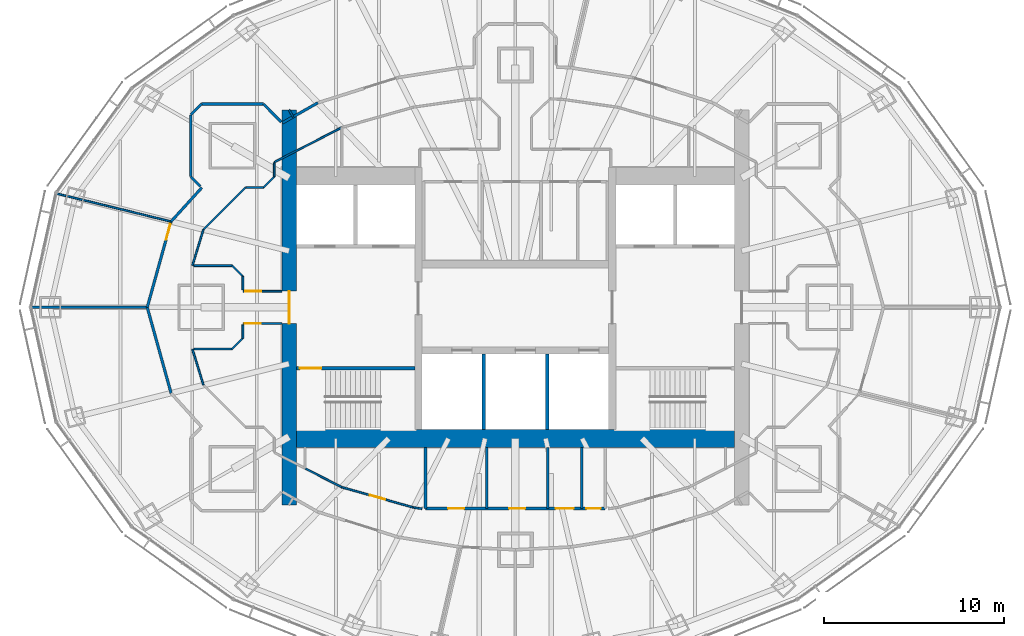
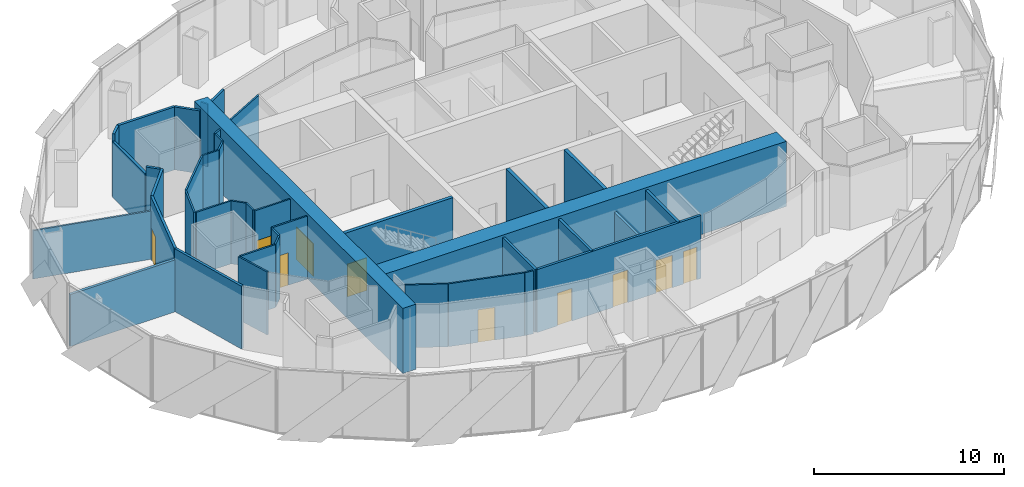
# One storey, part 12 of 18: 40 walls, 10 doors, 10 openings.
"""IFC4 building model written with IfcOpenShell, lengths in metres."""

from ifc_helpers import new_model, si_unit, direction, frame, frame_2d, origin, place, context, subcontext, project, spatial, rectangle, extrude, material, layer, layer_set, type_object, element, fill, save


model = new_model("IFC4")

# Units and contexts
model_context = context("Model", 3, precision=1e-05, world=origin(), true_north=direction((0.0, 1.0)))
body_context = subcontext(model_context, "Body", "Model", "MODEL_VIEW")
ifc_project = project(units=[si_unit("LENGTHUNIT", "METRE"), si_unit("AREAUNIT", "SQUARE_METRE"), si_unit("VOLUMEUNIT", "CUBIC_METRE"), si_unit("PLANEANGLEUNIT", "RADIAN"), si_unit("MASSUNIT", "GRAM", prefix="KILO")], contexts=[model_context])

# Site, building, storey
site_placement = place(None, origin())
site = spatial("IfcSite", under=ifc_project, at=site_placement, CompositionType="ELEMENT")
building_placement = place(site_placement, origin())
building = spatial("IfcBuilding", under=site, at=building_placement, Name="Lantaw Convention Tower", CompositionType="ELEMENT")
storey_placement = place(building_placement, frame((0.0, 0.0, 262.0)))
storey = spatial("IfcBuildingStorey", under=building, at=storey_placement, Name="L61", CompositionType="ELEMENT", Elevation=262.0)

# Wall
ifc_material_1 = material(Name="Concrete C60/75", Category="concrete")
ifc_layer_1 = layer(ifc_material_1, 1.0)
ifc_layer_set_1 = layer_set([ifc_layer_1], Name="Core wall 1000")
wall_type_1 = type_object("IfcWallType", Name="Core wall 1000", PredefinedType="SHEAR", material=ifc_layer_set_1)
wall_1_placement = place(storey_placement, frame((-12.199951171875, -7.300048828125, 0.0), z_axis=(0.0, 0.0, 1.0), x_axis=(1.0, 0.0, 0.0)))
element("IfcWall", 1, at=wall_1_placement, inside=storey, type_object=wall_type_1, Name="Core wall S", PredefinedType="SHEAR", context=body_context, shape_type="SweptSolid", body=[
    extrude(rectangle(XDim=24.39990234375, YDim=1.0, at=frame_2d((12.199951171875, 0.0))), origin(), (0.0, 0.0, 1.0), 4.199951171875),
])

# Wall, opening, door
ifc_layer_2 = layer(ifc_material_1, 0.199951171875)
ifc_layer_set_2 = layer_set([ifc_layer_2], Name="Core wall 200")
wall_type_2 = type_object("IfcWallType", Name="Core wall 200", PredefinedType="SHEAR", material=ifc_layer_set_2)
wall_2_placement = place(storey_placement, frame((-5.60009765625, -3.39990234375, 0.0), z_axis=(0.0, 0.0, 1.0), x_axis=(-1.0, 0.0, 0.0)))
wall_2 = element("IfcWall", 2, at=wall_2_placement, inside=storey, type_object=wall_type_2, Name="Core wall WS", PredefinedType="SHEAR", context=body_context, shape_type="SweptSolid", body=[
    extrude(rectangle(XDim=6.599853515625, YDim=0.199951171875, at=frame_2d((3.2998046875, 0.0))), origin(), (0.0, 0.0, 1.0), 4.199951171875),
])
opening_1_placement = place(wall_2_placement, frame((5.199951171875, 0.0, 0.0)))
opening_1 = element("IfcOpeningElement", 3, at=opening_1_placement, cuts=wall_2, Name="Opening L61.04", PredefinedType="OPENING", context=body_context, shape_type="SweptSolid", body=[
    extrude(rectangle(XDim=1.199951171875, YDim=2.10009765625, at=frame_2d((0.60009765625, 1.050048828125))), frame((0.0, 0.10986328125, 0.0), z_axis=(0.0, -1.0, 0.0), x_axis=(1.0, 0.0, 0.0)), (0.0, 0.0, 1.0), 0.219970703125),
])
ifc_material_2 = material(Name="Steel, fire rated", Category="steel")
door_type_1 = type_object("IfcDoorType", Name="Stair door FD90", OperationType="SINGLE_SWING_RIGHT", PredefinedType="DOOR", material=ifc_material_2)
door_1_placement = place(opening_1_placement, origin())
door_1 = element("IfcDoor", 4, at=door_1_placement, inside=storey, type_object=door_type_1, Name="Exit stair door", OperationType="SINGLE_SWING_RIGHT", OverallHeight=2.10009765625, OverallWidth=1.199951171875, PredefinedType="DOOR", context=body_context, shape_type="SweptSolid", body=[
    extrude(rectangle(XDim=1.199951171875, YDim=2.10009765625, at=frame_2d((0.60009765625, 1.050048828125))), frame((0.0, 0.02490234375, 0.0), z_axis=(0.0, -1.0, 0.0), x_axis=(1.0, 0.0, 0.0)), (0.0, 0.0, 1.0), 0.050048828125),
])
fill(opening_1, door_1)

ifc_layer_3 = layer(ifc_material_1, 0.800048828125)
ifc_layer_set_3 = layer_set([ifc_layer_3], Name="Core wall 800")
wall_type_3 = type_object("IfcWallType", Name="Core wall 800", PredefinedType="SHEAR", material=ifc_layer_set_3)
wall_3_placement = place(storey_placement, frame((-12.60009765625, 11.0, 0.0), z_axis=(0.0, 0.0, 1.0), x_axis=(0.0, -1.0, 0.0)))
wall_3 = element("IfcWall", 5, at=wall_3_placement, inside=storey, type_object=wall_type_3, Name="Core wall W", PredefinedType="SHEAR", context=body_context, shape_type="SweptSolid", body=[
    extrude(rectangle(XDim=22.0, YDim=0.800048828125, at=frame_2d((11.0, 0.0))), origin(), (0.0, 0.0, 1.0), 4.199951171875),
])
opening_2_placement = place(wall_3_placement, frame((10.10009765625, 0.0, 0.0)))
opening_2 = element("IfcOpeningElement", 6, at=opening_2_placement, cuts=wall_3, Name="Opening L61.06", PredefinedType="OPENING", context=body_context, shape_type="SweptSolid", body=[
    extrude(rectangle(XDim=1.800048828125, YDim=2.10009765625, at=frame_2d((0.89990234375, 1.050048828125))), frame((0.0, 0.409912109375, 0.0), z_axis=(0.0, -1.0, 0.0), x_axis=(1.0, 0.0, 0.0)), (0.0, 0.0, 1.0), 0.820068359375),
])
door_type_2 = type_object("IfcDoorType", Name="Lobby double door FD90", OperationType="DOUBLE_DOOR_DOUBLE_SWING", PredefinedType="DOOR", material=ifc_material_2)
door_2_placement = place(opening_2_placement, origin())
door_2 = element("IfcDoor", 7, at=door_2_placement, inside=storey, type_object=door_type_2, Name="Firefighting lobby door", OperationType="DOUBLE_DOOR_DOUBLE_SWING", OverallHeight=2.10009765625, OverallWidth=1.800048828125, PredefinedType="DOOR", context=body_context, shape_type="SweptSolid", body=[
    extrude(rectangle(XDim=1.800048828125, YDim=2.10009765625, at=frame_2d((0.89990234375, 1.050048828125))), frame((0.0, 0.02490234375, 0.0), z_axis=(0.0, -1.0, 0.0), x_axis=(1.0, 0.0, 0.0)), (0.0, 0.0, 1.0), 0.050048828125),
])
fill(opening_2, door_2)

ifc_material_3 = material(Name="Gypsum board on steel studs, fire rated", Category="steel")
ifc_layer_4 = layer(ifc_material_3, 0.14990234375)
ifc_layer_set_4 = layer_set([ifc_layer_4], Name="Corridor wall 150 EI 60")
wall_type_4 = type_object("IfcWallType", Name="Corridor wall 150 EI 60", PredefinedType="PARTITIONING", material=ifc_layer_set_4)
wall_4_placement = place(storey_placement, frame((-19.171875, 4.780029296875, 0.0), z_axis=(0.0, 0.0, 1.0), x_axis=(-0.26770731566, -0.963500281859, 0.0)))
wall_4 = element("IfcWall", 8, at=wall_4_placement, inside=storey, type_object=wall_type_4, Name="Corridor wall 150", PredefinedType="PARTITIONING", context=body_context, shape_type="SweptSolid", body=[
    extrude(rectangle(XDim=4.961181640625, YDim=0.14990234375, at=frame_2d((2.48046875, 0.0))), origin(), (0.0, 0.0, 1.0), 4.050048828125),
])
opening_3_placement = place(wall_4_placement, frame((0.14990234375, 0.0, 0.0)))
opening_3 = element("IfcOpeningElement", 9, at=opening_3_placement, cuts=wall_4, Name="Opening L61.33", PredefinedType="OPENING", context=body_context, shape_type="SweptSolid", body=[
    extrude(rectangle(XDim=0.89990234375, YDim=2.10009765625, at=frame_2d((0.449951171875, 1.050048828125))), frame((0.0, 0.0849609375, 0.0), z_axis=(0.0, -1.0, 0.0), x_axis=(1.0, 0.0, 0.0)), (0.0, 0.0, 1.0), 0.169921875),
])
door_type_3 = type_object("IfcDoorType", Name="Office door 900 FD30", OperationType="SINGLE_SWING_LEFT", PredefinedType="DOOR", material=ifc_material_2)
door_3_placement = place(opening_3_placement, origin())
door_3 = element("IfcDoor", 10, at=door_3_placement, inside=storey, type_object=door_type_3, Name="Meeting room door", OperationType="SINGLE_SWING_LEFT", OverallHeight=2.10009765625, OverallWidth=0.89990234375, PredefinedType="DOOR", context=body_context, shape_type="SweptSolid", body=[
    extrude(rectangle(XDim=0.89990234375, YDim=2.10009765625, at=frame_2d((0.449951171875, 1.050048828125))), frame((0.0, 0.02490234375, 0.0), z_axis=(0.0, -1.0, 0.0), x_axis=(1.0, 0.0, 0.0)), (0.0, 0.0, 1.0), 0.050048828125),
])
fill(opening_3, door_3)

# Walls
wall_5_placement = place(storey_placement, frame((-20.5, 0.0, 0.0), z_axis=(0.0, 0.0, 1.0), x_axis=(0.26770731566, -0.963500281859, 0.0)))
element("IfcWall", 11, at=wall_5_placement, inside=storey, type_object=wall_type_4, Name="Corridor wall 150", PredefinedType="PARTITIONING", context=body_context, shape_type="SweptSolid", body=[
    extrude(rectangle(XDim=4.961181640625, YDim=0.14990234375, at=frame_2d((2.48046875, 0.0))), origin(), (0.0, 0.0, 1.0), 4.050048828125),
])
wall_6_placement = place(storey_placement, frame((-11.000732421875, 11.3916015625, 0.0), z_axis=(0.0, 0.0, 1.0), x_axis=(-0.869722107117, -0.493541747366, 0.0)))
element("IfcWall", 12, at=wall_6_placement, inside=storey, type_object=wall_type_4, Name="Corridor wall 150", PredefinedType="PARTITIONING", context=body_context, shape_type="SweptSolid", body=[
    extrude(rectangle(XDim=2.26953125, YDim=0.14990234375, at=frame_2d((1.134765625, 0.0))), origin(), (0.0, 0.0, 1.0), 4.050048828125),
])
wall_7_placement = place(storey_placement, frame((-17.462646484375, 6.6650390625, 0.0), z_axis=(0.0, 0.0, 1.0), x_axis=(-0.671721890643, -0.74080341632, 0.0)))
element("IfcWall", 13, at=wall_7_placement, inside=storey, type_object=wall_type_4, Name="Corridor wall 150", PredefinedType="PARTITIONING", context=body_context, shape_type="SweptSolid", body=[
    extrude(rectangle(XDim=2.54443359375, YDim=0.14990234375, at=frame_2d((1.272216796875, 0.0))), origin(), (0.0, 0.0, 1.0), 4.050048828125),
])
wall_8_placement = place(storey_placement, frame((-18.074951171875, 10.724609375, 0.0), z_axis=(0.0, 0.0, 1.0), x_axis=(0.707106781187, 0.707106781187, 0.0)))
element("IfcWall", 14, at=wall_8_placement, inside=storey, type_object=wall_type_4, Name="Corridor wall 150", PredefinedType="PARTITIONING", context=body_context, shape_type="SweptSolid", body=[
    extrude(rectangle(XDim=0.84912109375, YDim=0.14990234375, at=frame_2d((0.424560546875, 0.0))), origin(), (0.0, 0.0, 1.0), 4.050048828125),
])
wall_9_placement = place(storey_placement, frame((-17.474609375, 11.324951171875, 0.0), z_axis=(0.0, 0.0, 1.0), x_axis=(1.0, 0.0, 0.0)))
element("IfcWall", 15, at=wall_9_placement, inside=storey, type_object=wall_type_4, Name="Corridor wall 150", PredefinedType="PARTITIONING", context=body_context, shape_type="SweptSolid", body=[
    extrude(rectangle(XDim=3.44921875, YDim=0.14990234375, at=frame_2d((1.724609375, 0.0))), origin(), (0.0, 0.0, 1.0), 4.050048828125),
])
wall_10_placement = place(storey_placement, frame((-14.025390625, 11.324951171875, 0.0), z_axis=(0.0, 0.0, 1.0), x_axis=(0.701113567316, -0.713049623606, 0.0)))
element("IfcWall", 16, at=wall_10_placement, inside=storey, type_object=wall_type_4, Name="Corridor wall 150", PredefinedType="PARTITIONING", context=body_context, shape_type="SweptSolid", body=[
    extrude(rectangle(XDim=1.411376953125, YDim=0.14990234375, at=frame_2d((0.70556640625, 0.0))), origin(), (0.0, 0.0, 1.0), 4.050048828125),
])
wall_11_placement = place(storey_placement, frame((-17.537841796875, 6.73828125, 0.0), z_axis=(0.0, 0.0, 1.0), x_axis=(-0.707106781187, 0.707106781187, 0.0)))
element("IfcWall", 17, at=wall_11_placement, inside=storey, type_object=wall_type_4, Name="Corridor wall 150", PredefinedType="PARTITIONING", context=body_context, shape_type="SweptSolid", body=[
    extrude(rectangle(XDim=0.759521484375, YDim=0.14990234375, at=frame_2d((0.3798828125, 0.0))), origin(), (0.0, 0.0, 1.0), 4.050048828125),
])
wall_12_placement = place(storey_placement, frame((-18.074951171875, 7.275390625, 0.0), z_axis=(0.0, 0.0, 1.0), x_axis=(0.0, 1.0, 0.0)))
element("IfcWall", 18, at=wall_12_placement, inside=storey, type_object=wall_type_4, Name="Corridor wall 150", PredefinedType="PARTITIONING", context=body_context, shape_type="SweptSolid", body=[
    extrude(rectangle(XDim=3.44921875, YDim=0.14990234375, at=frame_2d((1.724609375, 0.0))), origin(), (0.0, 0.0, 1.0), 3.600341796875),
])
ifc_material_4 = material(Name="Gypsum board on steel studs, acoustic", Category="steel")
ifc_layer_5 = layer(ifc_material_4, 0.10009765625)
ifc_layer_set_5 = layer_set([ifc_layer_5], Name="Office partition 100")
wall_type_5 = type_object("IfcWallType", Name="Office partition 100", PredefinedType="PARTITIONING", material=ifc_layer_set_5)
wall_13_placement = place(storey_placement, frame((-25.54296875, 6.33544921875, 0.0), z_axis=(0.0, 0.0, 1.0), x_axis=(0.971467850621, -0.237171278215, 0.0)))
element("IfcWall", 19, at=wall_13_placement, inside=storey, type_object=wall_type_5, Name="Office partition 100", PredefinedType="PARTITIONING", context=body_context, shape_type="SweptSolid", body=[
    extrude(rectangle(XDim=6.55810546875, YDim=0.10009765625, at=frame_2d((3.279052734375, 0.0))), origin(), (0.0, 0.0, 1.0), 3.107666015625),
])
wall_14_placement = place(storey_placement, frame((-5.199951171875, -11.21630859375, 0.0), z_axis=(0.0, 0.0, 1.0), x_axis=(-0.989797891768, 0.142478536811, 0.0)))
element("IfcWall", 20, at=wall_14_placement, inside=storey, type_object=wall_type_5, Name="Office partition 100", PredefinedType="PARTITIONING", context=body_context, shape_type="SweptSolid", body=[
    extrude(rectangle(XDim=0.48486328125, YDim=0.10009765625, at=frame_2d((0.242431640625, 0.0))), origin(), (0.0, 0.0, 1.0), 4.050048828125),
])

# Wall, opening, door
wall_15_placement = place(storey_placement, frame((-5.679931640625, -11.147216796875, 0.0), z_axis=(0.0, 0.0, 1.0), x_axis=(-0.961973498971, 0.273142796496, 0.0)))
wall_15 = element("IfcWall", 21, at=wall_15_placement, inside=storey, type_object=wall_type_5, Name="Office partition 100", PredefinedType="PARTITIONING", context=body_context, shape_type="SweptSolid", body=[
    extrude(rectangle(XDim=4.148193359375, YDim=0.10009765625, at=frame_2d((2.07421875, 0.0))), origin(), (0.0, 0.0, 1.0), 4.050048828125),
])
opening_4_placement = place(wall_15_placement, frame((1.624267578125, 0.0, 0.0)))
opening_4 = element("IfcOpeningElement", 22, at=opening_4_placement, cuts=wall_15, Name="Opening L61.23", PredefinedType="OPENING", context=body_context, shape_type="SweptSolid", body=[
    extrude(rectangle(XDim=0.89990234375, YDim=2.10009765625, at=frame_2d((0.449951171875, 1.050048828125))), frame((0.0, 0.06005859375, 0.0), z_axis=(0.0, -1.0, 0.0), x_axis=(1.0, 0.0, 0.0)), (0.0, 0.0, 1.0), 0.1201171875),
])
ifc_material_5 = material(Name="Timber", Category="wood")
door_type_4 = type_object("IfcDoorType", Name="Office door 900", OperationType="SINGLE_SWING_LEFT", PredefinedType="DOOR", material=ifc_material_5)
door_4_placement = place(opening_4_placement, origin())
door_4 = element("IfcDoor", 23, at=door_4_placement, inside=storey, type_object=door_type_4, Name="Project room door", OperationType="SINGLE_SWING_LEFT", OverallHeight=2.10009765625, OverallWidth=0.89990234375, PredefinedType="DOOR", context=body_context, shape_type="SweptSolid", body=[
    extrude(rectangle(XDim=0.89990234375, YDim=2.10009765625, at=frame_2d((0.449951171875, 1.050048828125))), frame((0.0, 0.02490234375, 0.0), z_axis=(0.0, -1.0, 0.0), x_axis=(1.0, 0.0, 0.0)), (0.0, 0.0, 1.0), 0.050048828125),
])
fill(opening_4, door_4)

# Walls
wall_16_placement = place(storey_placement, frame((-9.67041015625, -10.01416015625, 0.0), z_axis=(0.0, 0.0, 1.0), x_axis=(-0.889605609385, 0.456729525814, 0.0)))
element("IfcWall", 24, at=wall_16_placement, inside=storey, type_object=wall_type_5, Name="Office partition 100", PredefinedType="PARTITIONING", context=body_context, shape_type="SweptSolid", body=[
    extrude(rectangle(XDim=2.292724609375, YDim=0.10009765625, at=frame_2d((1.146484375, 0.0))), origin(), (0.0, 0.0, 1.0), 4.050048828125),
])
wall_17_placement = place(storey_placement, frame((-12.60009765625, 11.0, 0.0), z_axis=(0.0, 0.0, 1.0), x_axis=(0.493794495037, -0.869578631678, 0.0)))
element("IfcWall", 25, at=wall_17_placement, inside=storey, type_object=wall_type_5, Name="Office partition 100", PredefinedType="PARTITIONING", context=body_context, shape_type="SweptSolid", body=[
    extrude(rectangle(XDim=0.448974609375, YDim=0.10009765625, at=frame_2d((0.224609375, 0.0))), origin(), (0.0, 0.0, 1.0), 4.050048828125),
])
wall_18_placement = place(storey_placement, frame((-17.37158203125, -4.331298828125, 0.0), z_axis=(0.0, 0.0, 1.0), x_axis=(-0.293231279211, 0.956041535129, 0.0)))
element("IfcWall", 26, at=wall_18_placement, inside=storey, type_object=wall_type_5, Name="Office partition 100", PredefinedType="PARTITIONING", context=body_context, shape_type="SweptSolid", body=[
    extrude(rectangle(XDim=2.088134765625, YDim=0.10009765625, at=frame_2d((1.0439453125, 0.0))), origin(), (0.0, 0.0, 1.0), 4.050048828125),
])

# Wall, opening, door
wall_19_placement = place(storey_placement, frame((-15.1650390625, -0.89990234375, 0.0), z_axis=(0.0, 0.0, 1.0), x_axis=(1.0, 0.0, 0.0)))
wall_19 = element("IfcWall", 27, at=wall_19_placement, inside=storey, type_object=wall_type_5, Name="Office partition 100", PredefinedType="PARTITIONING", context=body_context, shape_type="SweptSolid", body=[
    extrude(rectangle(XDim=2.1650390625, YDim=0.10009765625, at=frame_2d((1.08251953125, 0.0))), origin(), (0.0, 0.0, 1.0), 4.050048828125),
])
opening_5_placement = place(wall_19_placement, frame((0.10009765625, 0.0, 0.0)))
opening_5 = element("IfcOpeningElement", 28, at=opening_5_placement, cuts=wall_19, Name="Opening L61.22", PredefinedType="OPENING", context=body_context, shape_type="SweptSolid", body=[
    extrude(rectangle(XDim=0.89990234375, YDim=2.10009765625, at=frame_2d((0.449951171875, 1.050048828125))), frame((0.0, 0.06005859375, 0.0), z_axis=(0.0, -1.0, 0.0), x_axis=(1.0, 0.0, 0.0)), (0.0, 0.0, 1.0), 0.1201171875),
])
door_5_placement = place(opening_5_placement, origin())
door_5 = element("IfcDoor", 29, at=door_5_placement, inside=storey, type_object=door_type_4, Name="Meeting room door", OperationType="SINGLE_SWING_LEFT", OverallHeight=2.10009765625, OverallWidth=0.89990234375, PredefinedType="DOOR", context=body_context, shape_type="SweptSolid", body=[
    extrude(rectangle(XDim=0.89990234375, YDim=2.10009765625, at=frame_2d((0.449951171875, 1.050048828125))), frame((0.0, 0.02490234375, 0.0), z_axis=(0.0, -1.0, 0.0), x_axis=(1.0, 0.0, 0.0)), (0.0, 0.0, 1.0), 0.050048828125),
])
fill(opening_5, door_5)

wall_20_placement = place(storey_placement, frame((-13.0, 0.89990234375, 0.0), z_axis=(0.0, 0.0, 1.0), x_axis=(-1.0, 0.0, 0.0)))
wall_20 = element("IfcWall", 30, at=wall_20_placement, inside=storey, type_object=wall_type_5, Name="Office partition 100", PredefinedType="PARTITIONING", context=body_context, shape_type="SweptSolid", body=[
    extrude(rectangle(XDim=2.1650390625, YDim=0.10009765625, at=frame_2d((1.08251953125, 0.0))), origin(), (0.0, 0.0, 1.0), 4.050048828125),
])
opening_6_placement = place(wall_20_placement, frame((1.14990234375, 0.0, 0.0)))
opening_6 = element("IfcOpeningElement", 31, at=opening_6_placement, cuts=wall_20, Name="Opening L61.28", PredefinedType="OPENING", context=body_context, shape_type="SweptSolid", body=[
    extrude(rectangle(XDim=0.89990234375, YDim=2.10009765625, at=frame_2d((0.449951171875, 1.050048828125))), frame((0.0, 0.06005859375, 0.0), z_axis=(0.0, -1.0, 0.0), x_axis=(1.0, 0.0, 0.0)), (0.0, 0.0, 1.0), 0.1201171875),
])
door_6_placement = place(opening_6_placement, origin())
door_6 = element("IfcDoor", 32, at=door_6_placement, inside=storey, type_object=door_type_4, Name="Meeting room door", OperationType="SINGLE_SWING_LEFT", OverallHeight=2.10009765625, OverallWidth=0.89990234375, PredefinedType="DOOR", context=body_context, shape_type="SweptSolid", body=[
    extrude(rectangle(XDim=0.89990234375, YDim=2.10009765625, at=frame_2d((0.449951171875, 1.050048828125))), frame((0.0, 0.02490234375, 0.0), z_axis=(0.0, -1.0, 0.0), x_axis=(1.0, 0.0, 0.0)), (0.0, 0.0, 1.0), 0.050048828125),
])
fill(opening_6, door_6)

# Walls
wall_21_placement = place(storey_placement, frame((-17.98388671875, 2.3349609375, 0.0), z_axis=(0.0, 0.0, 1.0), x_axis=(0.293231279211, 0.956041535129, 0.0)))
element("IfcWall", 33, at=wall_21_placement, inside=storey, type_object=wall_type_5, Name="Office partition 100", PredefinedType="PARTITIONING", context=body_context, shape_type="SweptSolid", body=[
    extrude(rectangle(XDim=2.088134765625, YDim=0.10009765625, at=frame_2d((1.0439453125, 0.0))), origin(), (0.0, 0.0, 1.0), 4.050048828125),
])
wall_22_placement = place(storey_placement, frame((-15.175048828125, -0.978271484375, 0.0), z_axis=(0.0, 0.0, 1.0), x_axis=(0.0, -1.0, 0.0)))
element("IfcWall", 34, at=wall_22_placement, inside=storey, type_object=wall_type_5, Name="Office partition 100", PredefinedType="PARTITIONING", context=body_context, shape_type="SweptSolid", body=[
    extrude(rectangle(XDim=0.746337890625, YDim=0.10009765625, at=frame_2d((0.373046875, 0.0))), origin(), (0.0, 0.0, 1.0), 4.050048828125),
])
wall_23_placement = place(storey_placement, frame((-15.175048828125, -1.724609375, 0.0), z_axis=(0.0, 0.0, 1.0), x_axis=(-0.707106781187, -0.707106781187, 0.0)))
element("IfcWall", 35, at=wall_23_placement, inside=storey, type_object=wall_type_5, Name="Office partition 100", PredefinedType="PARTITIONING", context=body_context, shape_type="SweptSolid", body=[
    extrude(rectangle(XDim=0.84912109375, YDim=0.10009765625, at=frame_2d((0.424560546875, 0.0))), origin(), (0.0, 0.0, 1.0), 4.050048828125),
])
for number, where, z_axis, x_axis, name in (
    (36, (-15.775390625, -2.324951171875, 0.0), (0.0, 0.0, 1.0), (-1.0, 0.0, 0.0), "Office partition 100"),
    (37, (-17.903076171875, 2.324951171875, 0.0), (0.0, 0.0, 1.0), (1.0, 0.0, 0.0), "Office partition 100"),
):
    element("IfcWall", number, at=place(storey_placement, frame(where, z_axis=z_axis, x_axis=x_axis)), inside=storey, type_object=wall_type_5, Name=name, PredefinedType="PARTITIONING", context=body_context, shape_type="SweptSolid", body=[
        extrude(rectangle(XDim=2.127685546875, YDim=0.10009765625, at=frame_2d((1.06396484375, 0.0))), origin(), (0.0, 0.0, 1.0), 4.050048828125),
    ])
wall_24_placement = place(storey_placement, frame((-15.775390625, 2.324951171875, 0.0), z_axis=(0.0, 0.0, 1.0), x_axis=(0.707106781187, -0.707106781187, 0.0)))
element("IfcWall", 38, at=wall_24_placement, inside=storey, type_object=wall_type_5, Name="Office partition 100", PredefinedType="PARTITIONING", context=body_context, shape_type="SweptSolid", body=[
    extrude(rectangle(XDim=0.84912109375, YDim=0.10009765625, at=frame_2d((0.424560546875, 0.0))), origin(), (0.0, 0.0, 1.0), 4.050048828125),
])
wall_25_placement = place(storey_placement, frame((-15.175048828125, 1.724609375, 0.0), z_axis=(0.0, 0.0, 1.0), x_axis=(0.0, -1.0, 0.0)))
element("IfcWall", 39, at=wall_25_placement, inside=storey, type_object=wall_type_5, Name="Office partition 100", PredefinedType="PARTITIONING", context=body_context, shape_type="SweptSolid", body=[
    extrude(rectangle(XDim=0.746337890625, YDim=0.10009765625, at=frame_2d((0.373046875, 0.0))), origin(), (0.0, 0.0, 1.0), 4.050048828125),
])
wall_26_placement = place(storey_placement, frame((-17.37158203125, 4.331298828125, 0.0), z_axis=(0.0, 0.0, 1.0), x_axis=(0.707587114823, 0.70662612104, 0.0)))
element("IfcWall", 40, at=wall_26_placement, inside=storey, type_object=wall_type_5, Name="Office partition 100", PredefinedType="PARTITIONING", context=body_context, shape_type="SweptSolid", body=[
    extrude(rectangle(XDim=3.302734375, YDim=0.10009765625, at=frame_2d((1.6513671875, 0.0))), origin(), (0.0, 0.0, 1.0), 4.050048828125),
])
wall_27_placement = place(storey_placement, frame((-13.4150390625, 8.091552734375, 0.0), z_axis=(0.0, 0.0, 1.0), x_axis=(0.889833724874, 0.456284935185, 0.0)))
element("IfcWall", 41, at=wall_27_placement, inside=storey, type_object=wall_type_5, Name="Office partition 100", PredefinedType="PARTITIONING", context=body_context, shape_type="SweptSolid", body=[
    extrude(rectangle(XDim=4.219970703125, YDim=0.10009765625, at=frame_2d((2.10986328125, 0.0))), origin(), (0.0, 0.0, 1.0), 4.050048828125),
])
wall_28_placement = place(storey_placement, frame((-13.425048828125, 8.04541015625, 0.0), z_axis=(0.0, 0.0, 1.0), x_axis=(0.0, -1.0, 0.0)))
element("IfcWall", 42, at=wall_28_placement, inside=storey, type_object=wall_type_5, Name="Office partition 100", PredefinedType="PARTITIONING", context=body_context, shape_type="SweptSolid", body=[
    extrude(rectangle(XDim=0.77001953125, YDim=0.10009765625, at=frame_2d((0.385009765625, 0.0))), origin(), (0.0, 0.0, 1.0), 4.050048828125),
])
wall_29_placement = place(storey_placement, frame((-13.425048828125, 7.275390625, 0.0), z_axis=(0.0, 0.0, 1.0), x_axis=(-0.707106781187, -0.707106781187, 0.0)))
element("IfcWall", 43, at=wall_29_placement, inside=storey, type_object=wall_type_5, Name="Office partition 100", PredefinedType="PARTITIONING", context=body_context, shape_type="SweptSolid", body=[
    extrude(rectangle(XDim=0.84912109375, YDim=0.10009765625, at=frame_2d((0.424560546875, 0.0))), origin(), (0.0, 0.0, 1.0), 4.050048828125),
])
wall_30_placement = place(storey_placement, frame((-14.025390625, 6.675048828125, 0.0), z_axis=(0.0, 0.0, 1.0), x_axis=(-1.0, 0.0, 0.0)))
element("IfcWall", 44, at=wall_30_placement, inside=storey, type_object=wall_type_5, Name="Office partition 100", PredefinedType="PARTITIONING", context=body_context, shape_type="SweptSolid", body=[
    extrude(rectangle(XDim=0.976806640625, YDim=0.10009765625, at=frame_2d((0.48828125, 0.0))), origin(), (0.0, 0.0, 1.0), 4.050048828125),
])
ifc_material_6 = material(Name="Concrete blockwork, fire rated", Category="masonry")
ifc_layer_6 = layer(ifc_material_6, 0.199951171875)
ifc_layer_set_6 = layer_set([ifc_layer_6], Name="Shaft wall 200 load-bearing")
wall_type_6 = type_object("IfcWallType", Name="Shaft wall 200 load-bearing", PredefinedType="SOLIDWALL", material=ifc_layer_set_6)
for number, where, z_axis, x_axis, name in (
    (45, (-1.7666015625, -2.60009765625, 0.0), (0.0, 0.0, 1.0), (0.0, -1.0, 0.0), "Shaft wall DS1"),
    (46, (1.7666015625, -2.60009765625, 0.0), (0.0, 0.0, 1.0), (0.0, -1.0, 0.0), "Shaft wall DS2"),
):
    element("IfcWall", number, at=place(storey_placement, frame(where, z_axis=z_axis, x_axis=x_axis)), inside=storey, type_object=wall_type_6, Name=name, PredefinedType="SOLIDWALL", context=body_context, shape_type="SweptSolid", body=[
        extrude(rectangle(XDim=4.199951171875, YDim=0.199951171875, at=frame_2d((2.10009765625, 0.0))), origin(), (0.0, 0.0, 1.0), 4.199951171875),
    ])
ifc_layer_7 = layer(ifc_material_3, 0.14990234375)
ifc_layer_set_7 = layer_set([ifc_layer_7], Name="Tenant separation wall 150 EI 60")
wall_type_7 = type_object("IfcWallType", Name="Tenant separation wall 150 EI 60", PredefinedType="PARTITIONING", material=ifc_layer_set_7)
wall_31_placement = place(storey_placement, frame((-26.944091796875, 0.0, 0.0), z_axis=(0.0, 0.0, 1.0), x_axis=(1.0, 0.0, 0.0)))
element("IfcWall", 47, at=wall_31_placement, inside=storey, type_object=wall_type_7, Name="Tenant separation wall 150", PredefinedType="PARTITIONING", context=body_context, shape_type="SweptSolid", body=[
    extrude(rectangle(XDim=6.444091796875, YDim=0.14990234375, at=frame_2d((3.22216796875, 0.0))), origin(), (0.0, 0.0, 1.0), 3.348876953125),
])

# Wall, openings, doors
ifc_material_7 = material(Name="Concrete blockwork", Category="masonry")
ifc_layer_8 = layer(ifc_material_7, 0.14990234375)
ifc_layer_set_8 = layer_set([ifc_layer_8], Name="WC wall 150")
wall_type_8 = type_object("IfcWallType", Name="WC wall 150", PredefinedType="SOLIDWALL", material=ifc_layer_set_8)
wall_32_placement = place(storey_placement, frame((-5.0, -11.199951171875, 0.0), z_axis=(0.0, 0.0, 1.0), x_axis=(1.0, 0.0, 0.0)))
wall_32 = element("IfcWall", 48, at=wall_32_placement, inside=storey, type_object=wall_type_8, Name="WC wall 150", PredefinedType="SOLIDWALL", context=body_context, shape_type="SweptSolid", body=[
    extrude(rectangle(XDim=10.0, YDim=0.14990234375, at=frame_2d((5.0, 0.0))), origin(), (0.0, 0.0, 1.0), 4.050048828125),
])
opening_7_placement = place(wall_32_placement, frame((1.25, 0.0, 0.0)))
opening_7 = element("IfcOpeningElement", 49, at=opening_7_placement, cuts=wall_32, Name="Opening L61.18", PredefinedType="OPENING", context=body_context, shape_type="SweptSolid", body=[
    extrude(rectangle(XDim=0.89990234375, YDim=2.10009765625, at=frame_2d((0.449951171875, 1.050048828125))), frame((0.0, 0.0849609375, 0.0), z_axis=(0.0, -1.0, 0.0), x_axis=(1.0, 0.0, 0.0)), (0.0, 0.0, 1.0), 0.169921875),
])
opening_8_placement = place(wall_32_placement, frame((4.64990234375, 0.0, 0.0)))
opening_8 = element("IfcOpeningElement", 50, at=opening_8_placement, cuts=wall_32, Name="Opening L61.19", PredefinedType="OPENING", context=body_context, shape_type="SweptSolid", body=[
    extrude(rectangle(XDim=0.89990234375, YDim=2.10009765625, at=frame_2d((0.449951171875, 1.050048828125))), frame((0.0, 0.0849609375, 0.0), z_axis=(0.0, -1.0, 0.0), x_axis=(1.0, 0.0, 0.0)), (0.0, 0.0, 1.0), 0.169921875),
])
opening_9_placement = place(wall_32_placement, frame((7.25, 0.0, 0.0)))
opening_9 = element("IfcOpeningElement", 51, at=opening_9_placement, cuts=wall_32, Name="Opening L61.20", PredefinedType="OPENING", context=body_context, shape_type="SweptSolid", body=[
    extrude(rectangle(XDim=1.0, YDim=2.10009765625, at=frame_2d((0.5, 1.050048828125))), frame((0.0, 0.0849609375, 0.0), z_axis=(0.0, -1.0, 0.0), x_axis=(1.0, 0.0, 0.0)), (0.0, 0.0, 1.0), 0.169921875),
])
opening_10_placement = place(wall_32_placement, frame((8.949951171875, 0.0, 0.0)))
opening_10 = element("IfcOpeningElement", 52, at=opening_10_placement, cuts=wall_32, Name="Opening L61.21", PredefinedType="OPENING", context=body_context, shape_type="SweptSolid", body=[
    extrude(rectangle(XDim=0.800048828125, YDim=2.10009765625, at=frame_2d((0.39990234375, 1.050048828125))), frame((0.0, 0.0849609375, 0.0), z_axis=(0.0, -1.0, 0.0), x_axis=(1.0, 0.0, 0.0)), (0.0, 0.0, 1.0), 0.169921875),
])
door_type_5 = type_object("IfcDoorType", Name="Accessible WC door 1000", OperationType="SINGLE_SWING_LEFT", PredefinedType="DOOR", material=ifc_material_5)
door_7_placement = place(opening_9_placement, origin())
door_7 = element("IfcDoor", 53, at=door_7_placement, inside=storey, type_object=door_type_5, Name="Accessible WC door", OperationType="SINGLE_SWING_LEFT", OverallHeight=2.10009765625, OverallWidth=1.0, PredefinedType="DOOR", context=body_context, shape_type="SweptSolid", body=[
    extrude(rectangle(XDim=1.0, YDim=2.10009765625, at=frame_2d((0.5, 1.050048828125))), frame((0.0, 0.02490234375, 0.0), z_axis=(0.0, -1.0, 0.0), x_axis=(1.0, 0.0, 0.0)), (0.0, 0.0, 1.0), 0.050048828125),
])
fill(opening_9, door_7)
door_type_6 = type_object("IfcDoorType", Name="WC door 800", OperationType="SINGLE_SWING_LEFT", PredefinedType="DOOR", material=ifc_material_5)
door_8_placement = place(opening_10_placement, origin())
door_8 = element("IfcDoor", 54, at=door_8_placement, inside=storey, type_object=door_type_6, Name="Pantry door", OperationType="SINGLE_SWING_LEFT", OverallHeight=2.10009765625, OverallWidth=0.800048828125, PredefinedType="DOOR", context=body_context, shape_type="SweptSolid", body=[
    extrude(rectangle(XDim=0.800048828125, YDim=2.10009765625, at=frame_2d((0.39990234375, 1.050048828125))), frame((0.0, 0.02490234375, 0.0), z_axis=(0.0, -1.0, 0.0), x_axis=(1.0, 0.0, 0.0)), (0.0, 0.0, 1.0), 0.050048828125),
])
fill(opening_10, door_8)
door_type_7 = type_object("IfcDoorType", Name="WC door 900", OperationType="SINGLE_SWING_LEFT", PredefinedType="DOOR", material=ifc_material_5)
door_9_placement = place(opening_7_placement, origin())
door_9 = element("IfcDoor", 55, at=door_9_placement, inside=storey, type_object=door_type_7, Name="Female WC door", OperationType="SINGLE_SWING_LEFT", OverallHeight=2.10009765625, OverallWidth=0.89990234375, PredefinedType="DOOR", context=body_context, shape_type="SweptSolid", body=[
    extrude(rectangle(XDim=0.89990234375, YDim=2.10009765625, at=frame_2d((0.449951171875, 1.050048828125))), frame((0.0, 0.02490234375, 0.0), z_axis=(0.0, -1.0, 0.0), x_axis=(1.0, 0.0, 0.0)), (0.0, 0.0, 1.0), 0.050048828125),
])
fill(opening_7, door_9)
door_10_placement = place(opening_8_placement, origin())
door_10 = element("IfcDoor", 56, at=door_10_placement, inside=storey, type_object=door_type_7, Name="Male WC door", OperationType="SINGLE_SWING_LEFT", OverallHeight=2.10009765625, OverallWidth=0.89990234375, PredefinedType="DOOR", context=body_context, shape_type="SweptSolid", body=[
    extrude(rectangle(XDim=0.89990234375, YDim=2.10009765625, at=frame_2d((0.449951171875, 1.050048828125))), frame((0.0, 0.02490234375, 0.0), z_axis=(0.0, -1.0, 0.0), x_axis=(1.0, 0.0, 0.0)), (0.0, 0.0, 1.0), 0.050048828125),
])
fill(opening_8, door_10)

# Walls
for number, where, z_axis, x_axis, name in (
    (57, (-5.0, -7.800048828125, 0.0), (0.0, 0.0, 1.0), (0.0, -1.0, 0.0), "WC wall 150"),
    (58, (-1.60009765625, -7.800048828125, 0.0), (0.0, 0.0, 1.0), (0.0, -1.0, 0.0), "WC wall 150"),
):
    element("IfcWall", number, at=place(storey_placement, frame(where, z_axis=z_axis, x_axis=x_axis)), inside=storey, type_object=wall_type_8, Name=name, PredefinedType="SOLIDWALL", context=body_context, shape_type="SweptSolid", body=[
        extrude(rectangle(XDim=3.39990234375, YDim=0.14990234375, at=frame_2d((1.699951171875, 0.0))), origin(), (0.0, 0.0, 1.0), 4.050048828125),
    ])
wall_33_placement = place(storey_placement, frame((1.800048828125, -7.800048828125, 0.0), z_axis=(0.0, 0.0, 1.0), x_axis=(0.0, -1.0, 0.0)))
element("IfcWall", 59, at=wall_33_placement, inside=storey, type_object=wall_type_8, Name="WC wall 150", PredefinedType="SOLIDWALL", context=body_context, shape_type="SweptSolid", body=[
    extrude(rectangle(XDim=3.39990234375, YDim=0.14990234375, at=frame_2d((1.699951171875, 0.0))), origin(), (0.0, 0.0, 1.0), 3.29296875),
])
wall_34_placement = place(storey_placement, frame((3.699951171875, -7.800048828125, 0.0), z_axis=(0.0, 0.0, 1.0), x_axis=(0.0, -1.0, 0.0)))
element("IfcWall", 60, at=wall_34_placement, inside=storey, type_object=wall_type_8, Name="WC wall 150", PredefinedType="SOLIDWALL", context=body_context, shape_type="SweptSolid", body=[
    extrude(rectangle(XDim=3.39990234375, YDim=0.14990234375, at=frame_2d((1.699951171875, 0.0))), origin(), (0.0, 0.0, 1.0), 4.050048828125),
])

save(model, "model.ifc")
